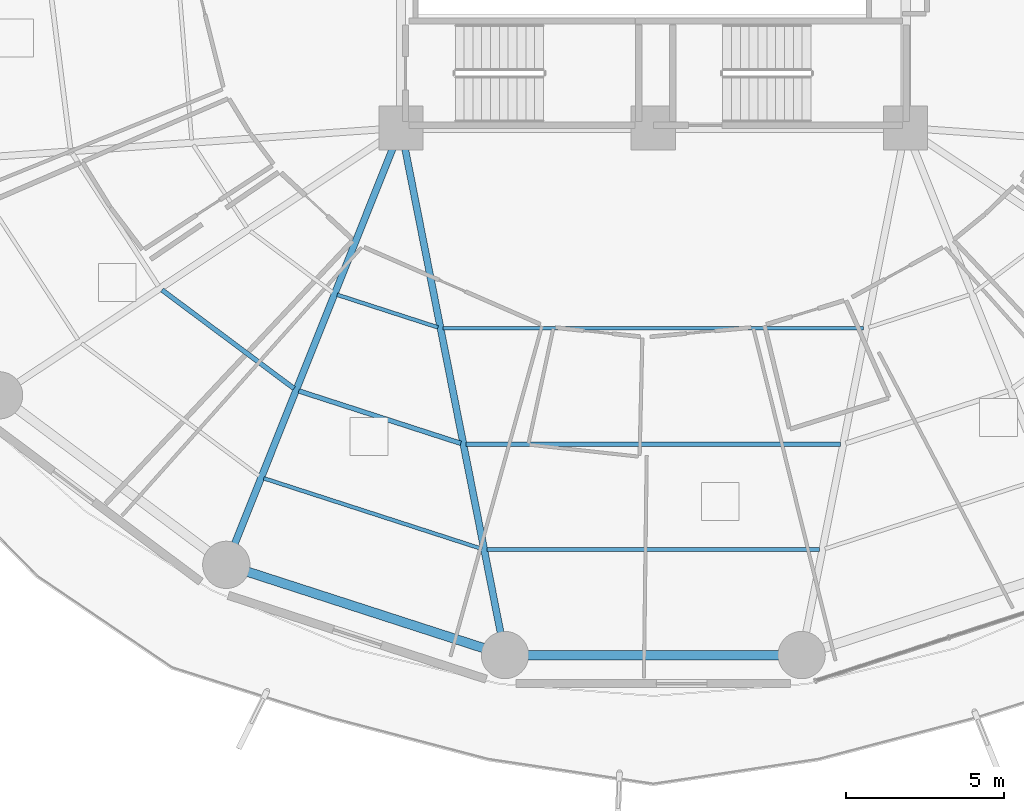
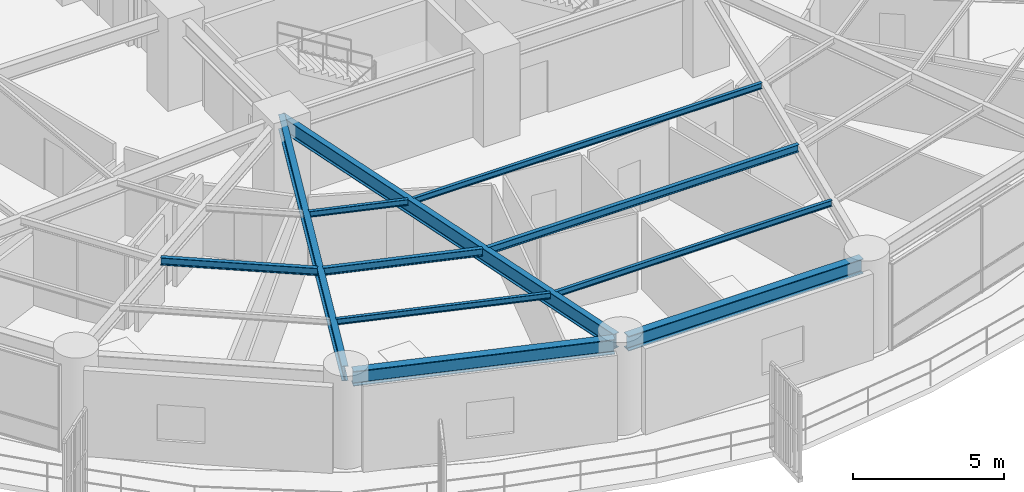
# One storey, part 3 of 33: 11 beams.
"""IFC4 building model written with IfcOpenShell, lengths in metres."""

from ifc_helpers import new_model, si_unit, direction, frame, origin, origin_2d, place, context, subcontext, project, spatial, i_section, extrude, material, material_profile, profile_set, type_object, element, save


model = new_model("IFC4")

# Units and contexts
model_context = context("Model", 3, precision=1e-05, world=origin(), true_north=direction((0.0, 1.0)))
body_context = subcontext(model_context, "Body", "Model", "MODEL_VIEW")
ifc_project = project(units=[si_unit("LENGTHUNIT", "METRE"), si_unit("AREAUNIT", "SQUARE_METRE"), si_unit("VOLUMEUNIT", "CUBIC_METRE"), si_unit("PLANEANGLEUNIT", "RADIAN"), si_unit("MASSUNIT", "GRAM", prefix="KILO")], contexts=[model_context])

# Site, building, storey
site_placement = place(None, origin())
site = spatial("IfcSite", under=ifc_project, at=site_placement, CompositionType="ELEMENT")
building_placement = place(site_placement, origin())
building = spatial("IfcBuilding", under=site, at=building_placement, Name="Kelanora Arch Commons", CompositionType="ELEMENT")
storey_placement = place(building_placement, frame((0.0, 0.0, 26.25)))
storey = spatial("IfcBuildingStorey", under=building, at=storey_placement, Name="L06", CompositionType="ELEMENT", Elevation=26.25)

# Beams
ifc_material = material(Name="Steel S355", Category="steel")
ifc_material_profile_1 = material_profile(ifc_material, i_section(OverallWidth=0.14990234375, OverallDepth=0.300048828125, WebThickness=0.007080078125, FlangeThickness=0.0107421875, FilletRadius=0.014892578125, at=origin_2d()), Name="IPE300")
ifc_profile_set_1 = profile_set([ifc_material_profile_1], Name="Steel S355")
beam_type_1 = type_object("IfcBeamType", Name="BM-JST-01", PredefinedType="JOIST", material=ifc_profile_set_1)
beam_1_placement = place(storey_placement, frame((58.42138671875, 45.8623046875, 3.340087890625), z_axis=(0.801478251559, -0.598023922831, 0.0), x_axis=(0.598023922831, 0.801478251559, 0.0)))
element("IfcBeam", 1, at=beam_1_placement, inside=storey, type_object=beam_type_1, Name="Secondary Chord Joist BJB-22 L06", PredefinedType="JOIST", context=body_context, shape_type="SweptSolid", body=[
    extrude(i_section(OverallWidth=0.14990234375, OverallDepth=0.300048828125, WebThickness=0.007080078125, FlangeThickness=0.0107421875, FilletRadius=0.014892578125, at=origin_2d()), origin(), (0.0, 0.0, 1.0), 5.223388671875),
])
beam_2_placement = place(storey_placement, frame((62.7568359375, 42.66162109375, 3.340087890625), z_axis=(0.951412209627, -0.307920131482, 0.0), x_axis=(0.307920131482, 0.951412209627, 0.0)))
element("IfcBeam", 2, at=beam_2_placement, inside=storey, type_object=beam_type_1, Name="Secondary Chord Joist BJB-24 L06", PredefinedType="JOIST", context=body_context, shape_type="SweptSolid", body=[
    extrude(i_section(OverallWidth=0.14990234375, OverallDepth=0.300048828125, WebThickness=0.007080078125, FlangeThickness=0.0107421875, FilletRadius=0.014892578125, at=origin_2d()), origin(), (0.0, 0.0, 1.0), 5.4033203125),
])
beam_3_placement = place(storey_placement, frame((68.063720703125, 40.971435546875, 3.340087890625), z_axis=(1.0, 0.0, 0.0), x_axis=(0.0, 1.0, 0.0)))
element("IfcBeam", 3, at=beam_3_placement, inside=storey, type_object=beam_type_1, Name="Secondary Chord Joist BJB-26 L06", PredefinedType="JOIST", context=body_context, shape_type="SweptSolid", body=[
    extrude(i_section(OverallWidth=0.14990234375, OverallDepth=0.300048828125, WebThickness=0.007080078125, FlangeThickness=0.0107421875, FilletRadius=0.014892578125, at=origin_2d()), origin(), (0.0, 0.0, 1.0), 11.87255859375),
])
ifc_material_profile_2 = material_profile(ifc_material, i_section(OverallWidth=0.1201171875, OverallDepth=0.239990234375, WebThickness=0.006103515625, FlangeThickness=0.009765625, FilletRadius=0.014892578125, at=origin_2d()), Name="IPE240")
ifc_profile_set_2 = profile_set([ifc_material_profile_2], Name="Steel S355")
beam_type_2 = type_object("IfcBeamType", Name="BM-JST-02", PredefinedType="JOIST", material=ifc_profile_set_2)
beam_4_placement = place(storey_placement, frame((63.9755859375, 45.709228515625, 3.3701171875), z_axis=(0.951422608074, -0.30788800049, 0.0), x_axis=(0.30788800049, 0.951422608074, 0.0)))
element("IfcBeam", 4, at=beam_4_placement, inside=storey, type_object=beam_type_2, Name="Secondary Chord Joist BJA-24 L06", PredefinedType="JOIST", context=body_context, shape_type="SweptSolid", body=[
    extrude(i_section(OverallWidth=0.1201171875, OverallDepth=0.239990234375, WebThickness=0.006103515625, FlangeThickness=0.009765625, FilletRadius=0.014892578125, at=origin_2d()), origin(), (0.0, 0.0, 1.0), 3.359619140625),
])
beam_5_placement = place(storey_placement, frame((61.64892578125, 39.890625, 3.3701171875), z_axis=(0.951410915705, -0.307924129418, 0.0), x_axis=(0.307924129418, 0.951410915705, 0.0)))
element("IfcBeam", 5, at=beam_5_placement, inside=storey, type_object=beam_type_2, Name="Secondary Chord Joist BJC-24 L06", PredefinedType="JOIST", context=body_context, shape_type="SweptSolid", body=[
    extrude(i_section(OverallWidth=0.1201171875, OverallDepth=0.239990234375, WebThickness=0.006103515625, FlangeThickness=0.009765625, FilletRadius=0.014892578125, at=origin_2d()), origin(), (0.0, 0.0, 1.0), 7.260986328125),
])
beam_6_placement = place(storey_placement, frame((67.338134765625, 44.648681640625, 3.3701171875), z_axis=(1.0, 0.0, 0.0), x_axis=(0.0, 1.0, 0.0)))
element("IfcBeam", 6, at=beam_6_placement, inside=storey, type_object=beam_type_2, Name="Secondary Chord Joist BJA-26 L06", PredefinedType="JOIST", context=body_context, shape_type="SweptSolid", body=[
    extrude(i_section(OverallWidth=0.1201171875, OverallDepth=0.239990234375, WebThickness=0.006103515625, FlangeThickness=0.009765625, FilletRadius=0.014892578125, at=origin_2d()), origin(), (0.0, 0.0, 1.0), 13.32373046875),
])
beam_7_placement = place(storey_placement, frame((68.72314453125, 37.628662109375, 3.3701171875), z_axis=(1.0, 0.0, 0.0), x_axis=(0.0, 1.0, 0.0)))
element("IfcBeam", 7, at=beam_7_placement, inside=storey, type_object=beam_type_2, Name="Secondary Chord Joist BJC-26 L06", PredefinedType="JOIST", context=body_context, shape_type="SweptSolid", body=[
    extrude(i_section(OverallWidth=0.1201171875, OverallDepth=0.239990234375, WebThickness=0.006103515625, FlangeThickness=0.009765625, FilletRadius=0.014892578125, at=origin_2d()), origin(), (0.0, 0.0, 1.0), 10.5537109375),
])
ifc_material_profile_3 = material_profile(ifc_material, i_section(OverallWidth=0.219970703125, OverallDepth=0.60009765625, WebThickness=0.011962890625, FlangeThickness=0.01904296875, FilletRadius=0.02392578125, at=origin_2d()), Name="IPE600")
ifc_profile_set_3 = profile_set([ifc_material_profile_3], Name="Steel S355")
beam_type_3 = type_object("IfcBeamType", Name="BM-RAD-Z1", PredefinedType="BEAM", material=ifc_profile_set_3)
beam_8_placement = place(storey_placement, frame((66.0, 51.0, 3.18994140625), z_axis=(-0.371296182896, -0.928514482691, 0.0), x_axis=(0.928514482691, -0.371296182896, 0.0)))
element("IfcBeam", 8, at=beam_8_placement, inside=storey, type_object=beam_type_3, Name="Radial Floor Girder BR-24 L06", PredefinedType="BEAM", context=body_context, shape_type="SweptSolid", body=[
    extrude(i_section(OverallWidth=0.219970703125, OverallDepth=0.60009765625, WebThickness=0.011962890625, FlangeThickness=0.01904296875, FilletRadius=0.02392578125, at=origin_2d()), origin(), (0.0, 0.0, 1.0), 14.700439453125),
])
beam_9_placement = place(storey_placement, frame((66.0, 51.0, 3.18994140625), z_axis=(0.193555256292, -0.981089375522, 0.0), x_axis=(0.981089375522, 0.193555256292, 0.0)))
element("IfcBeam", 9, at=beam_9_placement, inside=storey, type_object=beam_type_3, Name="Radial Floor Girder BR-26 L06", PredefinedType="BEAM", context=body_context, shape_type="SweptSolid", body=[
    extrude(i_section(OverallWidth=0.219970703125, OverallDepth=0.60009765625, WebThickness=0.011962890625, FlangeThickness=0.01904296875, FilletRadius=0.02392578125, at=origin_2d()), origin(), (0.0, 0.0, 1.0), 16.81640625),
])
ifc_material_profile_4 = material_profile(ifc_material, i_section(OverallWidth=0.300048828125, OverallDepth=0.60009765625, WebThickness=0.015380859375, FlangeThickness=0.030029296875, FilletRadius=0.027099609375, at=origin_2d()), Name="HEB600")
ifc_profile_set_4 = profile_set([ifc_material_profile_4], Name="Steel S355")
beam_type_4 = type_object("IfcBeamType", Name="BM-SPN-Z1", PredefinedType="SPANDREL", material=ifc_profile_set_4)
beam_10_placement = place(storey_placement, frame((60.669189453125, 37.078369140625, 3.18994140625), z_axis=(0.951411479564, -0.307922387224, 0.0), x_axis=(0.307922387224, 0.951411479564, 0.0)))
element("IfcBeam", 10, at=beam_10_placement, inside=storey, type_object=beam_type_4, Name="Perimeter Spandrel Beam BS-24 L06", PredefinedType="SPANDREL", context=body_context, shape_type="SweptSolid", body=[
    extrude(i_section(OverallWidth=0.300048828125, OverallDepth=0.60009765625, WebThickness=0.015380859375, FlangeThickness=0.030029296875, FilletRadius=0.027099609375, at=origin_2d()), origin(), (0.0, 0.0, 1.0), 8.84912109375),
])
beam_11_placement = place(storey_placement, frame((69.517578125, 34.285888671875, 3.18994140625), z_axis=(1.0, 0.0, 0.0), x_axis=(0.0, 1.0, 0.0)))
element("IfcBeam", 11, at=beam_11_placement, inside=storey, type_object=beam_type_4, Name="Perimeter Spandrel Beam BS-26 L06", PredefinedType="SPANDREL", context=body_context, shape_type="SweptSolid", body=[
    extrude(i_section(OverallWidth=0.300048828125, OverallDepth=0.60009765625, WebThickness=0.015380859375, FlangeThickness=0.030029296875, FilletRadius=0.027099609375, at=origin_2d()), origin(), (0.0, 0.0, 1.0), 8.96484375),
])

save(model, "model.ifc")
